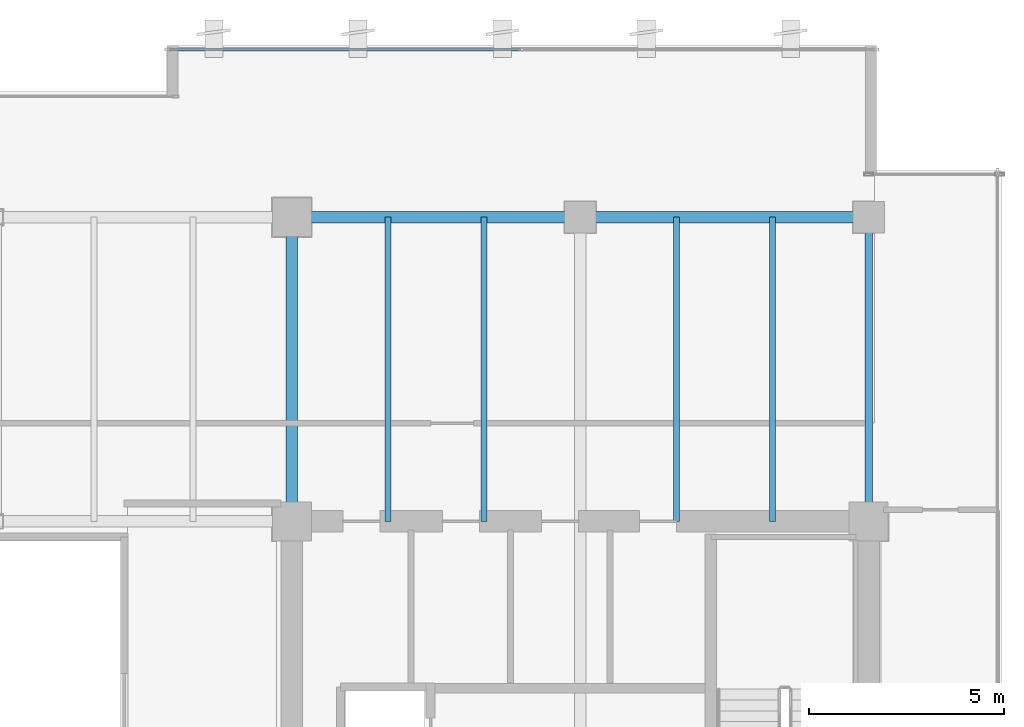
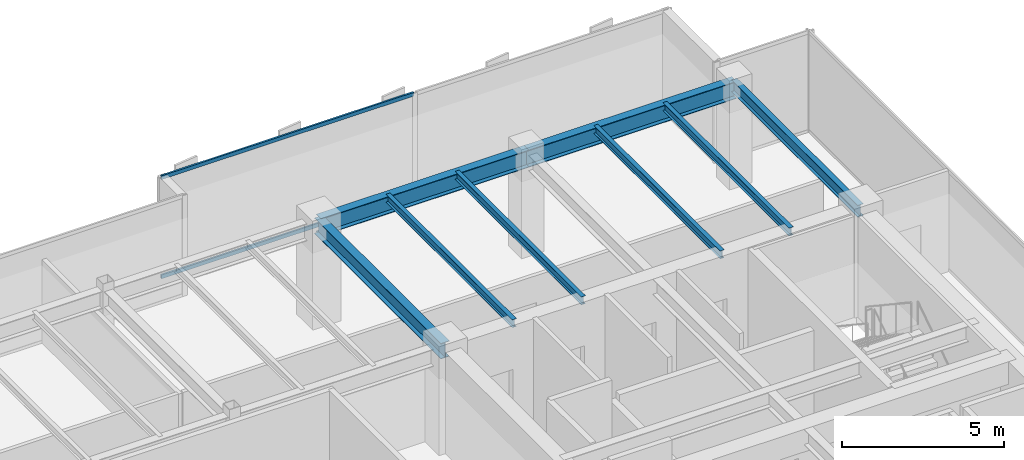
# One storey, part 20 of 36: 8 beams, 2 members, 1 element without a shape of its own.
"""IFC4 building model written with IfcOpenShell, lengths in metres."""

from ifc_helpers import new_model, si_unit, direction, frame, origin, origin_2d, place, context, subcontext, project, spatial, hollow_rectangle, i_section, extrude, source, transform, mapped, material, layer, layer_set, material_profile, profile_set, type_object, type_shapes, element, aggregate, save


model = new_model("IFC4")

# Units and contexts
model_context = context("Model", 3, precision=1e-05, world=origin(), true_north=direction((0.0, 1.0)))
body_context = subcontext(model_context, "Body", "Model", "MODEL_VIEW")
ifc_project = project(units=[si_unit("LENGTHUNIT", "METRE"), si_unit("AREAUNIT", "SQUARE_METRE"), si_unit("VOLUMEUNIT", "CUBIC_METRE"), si_unit("PLANEANGLEUNIT", "RADIAN"), si_unit("MASSUNIT", "GRAM", prefix="KILO")], contexts=[model_context])

# Site, building, storey
site_placement = place(None, origin())
site = spatial("IfcSite", under=ifc_project, at=site_placement, CompositionType="ELEMENT")
building_placement = place(site_placement, origin())
building = spatial("IfcBuilding", under=site, at=building_placement, Name="Haelvirn Gate Laboratories", CompositionType="ELEMENT")
storey_placement = place(building_placement, frame((0.0, 0.0, 242.39990234375)))
storey = spatial("IfcBuildingStorey", under=building, at=storey_placement, Name="L58", CompositionType="ELEMENT", Elevation=242.39990234375)

# Beams
ifc_material_1 = material(Name="Steel SM355", Category="steel")
ifc_material_profile_1 = material_profile(ifc_material_1, i_section(OverallWidth=0.14990234375, OverallDepth=0.300048828125, WebThickness=0.006591796875, FlangeThickness=0.009033203125, at=origin_2d()), Name="H-300x150x6.5x9")
ifc_profile_set_1 = profile_set([ifc_material_profile_1], Name="Steel SM355")
beam_type_1 = type_object("IfcBeamType", Name="BM-J-300", PredefinedType="JOIST", material=ifc_profile_set_1)
shared_shape_1 = source(origin(), body_context, "Body", "SweptSolid", [
    extrude(i_section(OverallWidth=0.14990234375, OverallDepth=0.300048828125, WebThickness=0.006591796875, FlangeThickness=0.009033203125, at=origin_2d()), origin(), (0.0, 0.0, 1.0), 7.800048828125),
])
type_shapes(beam_type_1, [shared_shape_1])
for number, where, z_axis, x_axis, name in (
    (1, (55.070068359375, 33.800048828125, 3.650146484375), (0.0, 1.0, 0.0), (-1.0, 0.0, 0.0), "L58 Composite Lab Joist North X55.07"),
    (2, (57.530029296875, 33.800048828125, 3.650146484375), (0.0, 1.0, 0.0), (-1.0, 0.0, 0.0), "L58 Composite Lab Joist North X57.53"),
    (3, (62.469970703125, 33.800048828125, 3.650146484375), (0.0, 1.0, 0.0), (-1.0, 0.0, 0.0), "L58 Composite Lab Joist North X62.47"),
    (4, (64.929931640625, 33.800048828125, 3.650146484375), (0.0, 1.0, 0.0), (-1.0, 0.0, 0.0), "L58 Composite Lab Joist North X64.93"),
):
    element("IfcBeam", number, at=place(storey_placement, frame(where, z_axis=z_axis, x_axis=x_axis)), inside=storey, type_object=beam_type_1, Name=name, PredefinedType="JOIST", context=body_context, shape_type="MappedRepresentation", body=[
        mapped(shared_shape_1, transform((0.0, 0.0, 0.0), scale=1.0)),
    ])
ifc_material_profile_2 = material_profile(ifc_material_1, i_section(OverallWidth=0.300048828125, OverallDepth=0.587890625, WebThickness=0.011962890625, FlangeThickness=0.02001953125, at=origin_2d()), Name="H-588x300x12x20")
ifc_profile_set_2 = profile_set([ifc_material_profile_2], Name="Steel SM355")
beam_type_2 = type_object("IfcBeamType", Name="BM-G-588", PredefinedType="BEAM", material=ifc_profile_set_2)
shared_shape_2 = source(origin(), body_context, "Body", "SweptSolid", [
    extrude(i_section(OverallWidth=0.300048828125, OverallDepth=0.587890625, WebThickness=0.011962890625, FlangeThickness=0.02001953125, at=origin_2d()), origin(), (0.0, 0.0, 1.0), 7.800048828125),
])
type_shapes(beam_type_2, [shared_shape_2])
beam_1_placement = place(storey_placement, frame((52.60009765625, 33.800048828125, 3.506103515625), z_axis=(0.0, 1.0, 0.0), x_axis=(-1.0, 0.0, 0.0)))
element("IfcBeam", 5, at=beam_1_placement, inside=storey, type_object=beam_type_2, Name="L58 Frame Girder X52.6 (33.8-41.6)", PredefinedType="BEAM", context=body_context, shape_type="MappedRepresentation", body=[
    mapped(shared_shape_2, transform((0.0, 0.0, 0.0), scale=1.0)),
])
ifc_material_profile_3 = material_profile(ifc_material_1, i_section(OverallWidth=0.300048828125, OverallDepth=0.64990234375, WebThickness=0.012939453125, FlangeThickness=0.02197265625, at=origin_2d()), Name="H-650x300x13x22")
ifc_profile_set_3 = profile_set([ifc_material_profile_3], Name="Steel SM355")
beam_type_3 = type_object("IfcBeamType", Name="BM-G-650", PredefinedType="BEAM", material=ifc_profile_set_3)
shared_shape_3 = source(origin(), body_context, "Body", "SweptSolid", [
    extrude(i_section(OverallWidth=0.300048828125, OverallDepth=0.64990234375, WebThickness=0.012939453125, FlangeThickness=0.02197265625, at=origin_2d()), origin(), (0.0, 0.0, 1.0), 7.39990234375),
])
type_shapes(beam_type_3, [shared_shape_3])
for number, where, z_axis, x_axis, name in (
    (6, (52.60009765625, 41.60009765625, 3.47509765625), (1.0, 0.0, 0.0), (0.0, 1.0, 0.0), "L58 Primary Girder Y41.6 (52.6-60.0)"),
    (7, (60.0, 41.60009765625, 3.47509765625), (1.0, 0.0, 0.0), (0.0, 1.0, 0.0), "L58 Primary Girder Y41.6 (60.0-67.4)"),
):
    element("IfcBeam", number, at=place(storey_placement, frame(where, z_axis=z_axis, x_axis=x_axis)), inside=storey, type_object=beam_type_3, Name=name, PredefinedType="BEAM", context=body_context, shape_type="MappedRepresentation", body=[
        mapped(shared_shape_3, transform((0.0, 0.0, 0.0), scale=1.0)),
    ])
ifc_material_profile_4 = material_profile(ifc_material_1, i_section(OverallWidth=0.199951171875, OverallDepth=0.449951171875, WebThickness=0.009033203125, FlangeThickness=0.013916015625, at=origin_2d()), Name="H-450x200x9x14")
ifc_profile_set_4 = profile_set([ifc_material_profile_4], Name="Steel SM355")
beam_type_4 = type_object("IfcBeamType", Name="BM-SP-450", PredefinedType="SPANDREL", material=ifc_profile_set_4)
shared_shape_4 = source(origin(), body_context, "Body", "SweptSolid", [
    extrude(i_section(OverallWidth=0.199951171875, OverallDepth=0.449951171875, WebThickness=0.009033203125, FlangeThickness=0.013916015625, at=origin_2d()), origin(), (0.0, 0.0, 1.0), 7.800048828125),
])
type_shapes(beam_type_4, [shared_shape_4])
beam_2_placement = place(storey_placement, frame((67.39990234375, 33.800048828125, 3.5751953125), z_axis=(0.0, 1.0, 0.0), x_axis=(-1.0, 0.0, 0.0)))
element("IfcBeam", 8, at=beam_2_placement, inside=storey, type_object=beam_type_4, Name="L58 Perimeter Spandrel X67.4 (33.8-41.6)", PredefinedType="SPANDREL", context=body_context, shape_type="MappedRepresentation", body=[
    mapped(shared_shape_4, transform((0.0, 0.0, 0.0), scale=1.0)),
])

# Curtain wall, members
ifc_material_2 = material(Name="Anodised bronze unitised aluminium & triple low-E glass", Category="aluminium")
ifc_layer = layer(ifc_material_2, 0.176025390625, Name="CW-SYS-4")
ifc_layer_set = layer_set([ifc_layer], Name="Anodised bronze unitised aluminium & triple low-E glass")
curtain_wall_type = type_object("IfcCurtainWallType", Name="CW-SYS-4", PredefinedType="NOTDEFINED", material=ifc_layer_set)
curtain_wall_placement = place(storey_placement, origin())
curtain_wall = element("IfcCurtainWall", 9, at=curtain_wall_placement, inside=storey, type_object=curtain_wall_type, Name="L58 Unitised Curtain Wall CW-L58-P0-E10-1", PredefinedType="NOTDEFINED")
ifc_material_3 = material(Name="Extruded aluminium 6063-T6 (anodised bronze)", Category="aluminium")
ifc_material_profile_5 = material_profile(ifc_material_3, hollow_rectangle(XDim=0.06494140625, YDim=0.139892578125, WallThickness=0.00390625, at=origin_2d()), Name="CWT-140x65x4")
ifc_profile_set_5 = profile_set([ifc_material_profile_5], Name="Extruded aluminium 6063-T6 (anodised bronze)")
member_type = type_object("IfcMemberType", Name="CWT-T140", PredefinedType="USERDEFINED", material=ifc_profile_set_5)
shared_shape_5 = source(origin(), body_context, "Body", "SweptSolid", [
    extrude(hollow_rectangle(XDim=0.06494140625, YDim=0.139892578125, WallThickness=0.00390625, at=origin_2d()), origin(), (0.0, 0.0, 1.0), 8.9951171875),
])
type_shapes(member_type, [shared_shape_5])
member_1_placement = place(storey_placement, frame((49.469970703125, 45.89990234375, 0.03271484375), z_axis=(1.0, 0.0, 0.0), x_axis=(0.0, 1.0, 0.0)))
member_1 = element("IfcMember", 10, at=member_1_placement, type_object=member_type, Name="CW4 transom 1.1", ObjectType="TRANSOM", PredefinedType="USERDEFINED", context=body_context, shape_type="MappedRepresentation", body=[
    mapped(shared_shape_5, transform((0.0, 0.0, 0.0), scale=1.0)),
])
member_2_placement = place(storey_placement, frame((49.469970703125, 45.89990234375, 3.767578125), z_axis=(1.0, 0.0, 0.0), x_axis=(0.0, 1.0, 0.0)))
member_2 = element("IfcMember", 11, at=member_2_placement, type_object=member_type, Name="CW4 transom 1.2", ObjectType="TRANSOM", PredefinedType="USERDEFINED", context=body_context, shape_type="MappedRepresentation", body=[
    mapped(shared_shape_5, transform((0.0, 0.0, 0.0), scale=1.0)),
])
aggregate(curtain_wall, [member_1, member_2])

save(model, "model.ifc")
